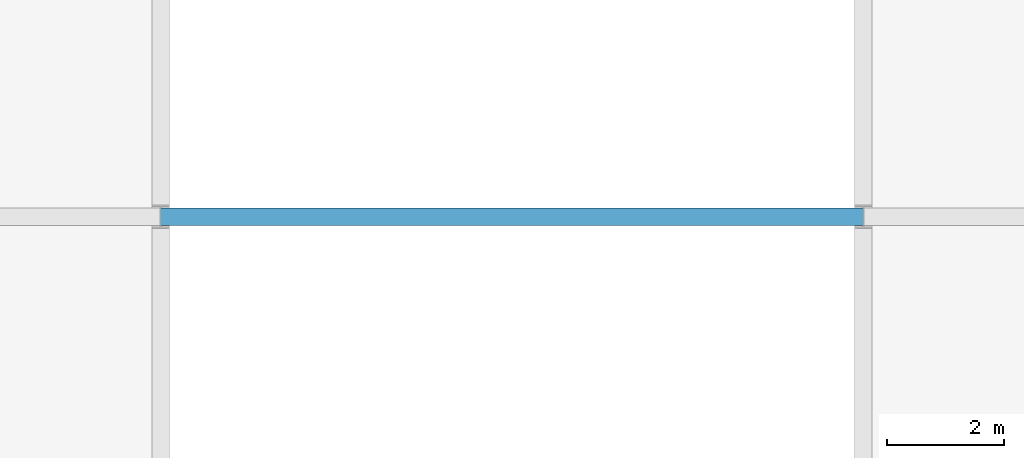
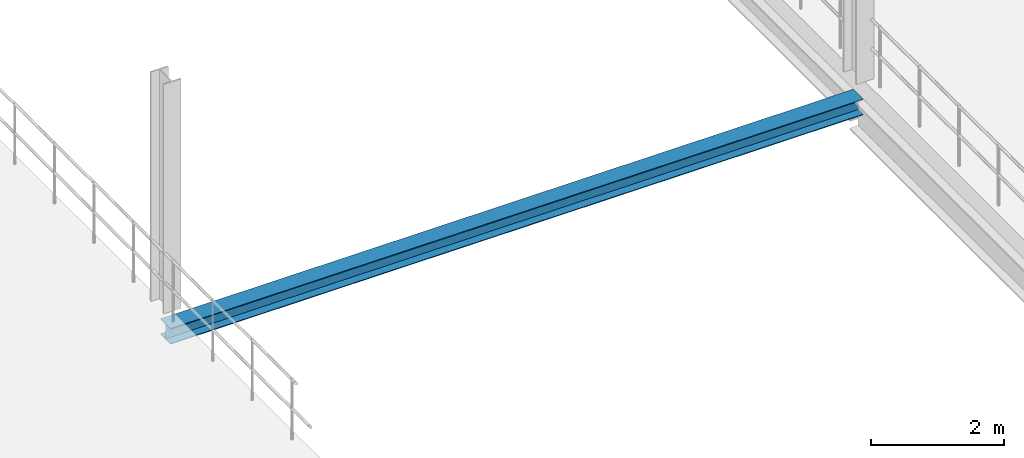
# One storey, part 57 of 147: 1 beam.
"""IFC4 building model written with IfcOpenShell, lengths in metres."""

from ifc_helpers import new_model, si_unit, direction, frame, origin, origin_2d, place, context, subcontext, project, spatial, i_section, extrude, material, material_profile, profile_set, type_object, element, save


model = new_model("IFC4")

# Units and contexts
model_context = context("Model", 3, precision=1e-05, world=origin(), true_north=direction((0.0, 1.0)))
body_context = subcontext(model_context, "Body", "Model", "MODEL_VIEW")
ifc_project = project(units=[si_unit("LENGTHUNIT", "METRE"), si_unit("AREAUNIT", "SQUARE_METRE"), si_unit("VOLUMEUNIT", "CUBIC_METRE"), si_unit("PLANEANGLEUNIT", "RADIAN"), si_unit("MASSUNIT", "GRAM", prefix="KILO")], contexts=[model_context])

# Site, building, storey
site_placement = place(None, origin())
site = spatial("IfcSite", under=ifc_project, at=site_placement, CompositionType="ELEMENT")
building_placement = place(site_placement, origin())
building = spatial("IfcBuilding", under=site, at=building_placement, Name="Zilviju Railside Exhibition Hall", CompositionType="ELEMENT")
storey_placement = place(building_placement, frame((0.0, 0.0, 8.39990234375)))
storey = spatial("IfcBuildingStorey", under=building, at=storey_placement, Name="L03", CompositionType="ELEMENT", Elevation=8.39990234375)

# Beam
ifc_material = material(Name="Steel S355J2", Category="steel")
ifc_material_profile = material_profile(ifc_material, i_section(OverallWidth=0.300048828125, OverallDepth=0.2900390625, WebThickness=0.008544921875, FlangeThickness=0.013916015625, at=origin_2d()), Name="HEA 300")
ifc_profile_set = profile_set([ifc_material_profile], Name="Steel S355J2")
beam_type = type_object("IfcBeamType", Name="BM-HEA300", PredefinedType="SPANDREL", material=ifc_profile_set)
beam_placement = place(storey_placement, frame((58.0, 54.0, -0.494873046875), z_axis=(1.0, 0.0, 0.0), x_axis=(0.0, 1.0, 0.0)))
element("IfcBeam", 1, at=beam_placement, inside=storey, type_object=beam_type, Name="Primary Girder L03 Y=54.0 (58.0..70.0)", PredefinedType="SPANDREL", context=body_context, shape_type="SweptSolid", body=[
    extrude(i_section(OverallWidth=0.300048828125, OverallDepth=0.2900390625, WebThickness=0.008544921875, FlangeThickness=0.013916015625, at=origin_2d()), origin(), (0.0, 0.0, 1.0), 12.0),
])

save(model, "model.ifc")
